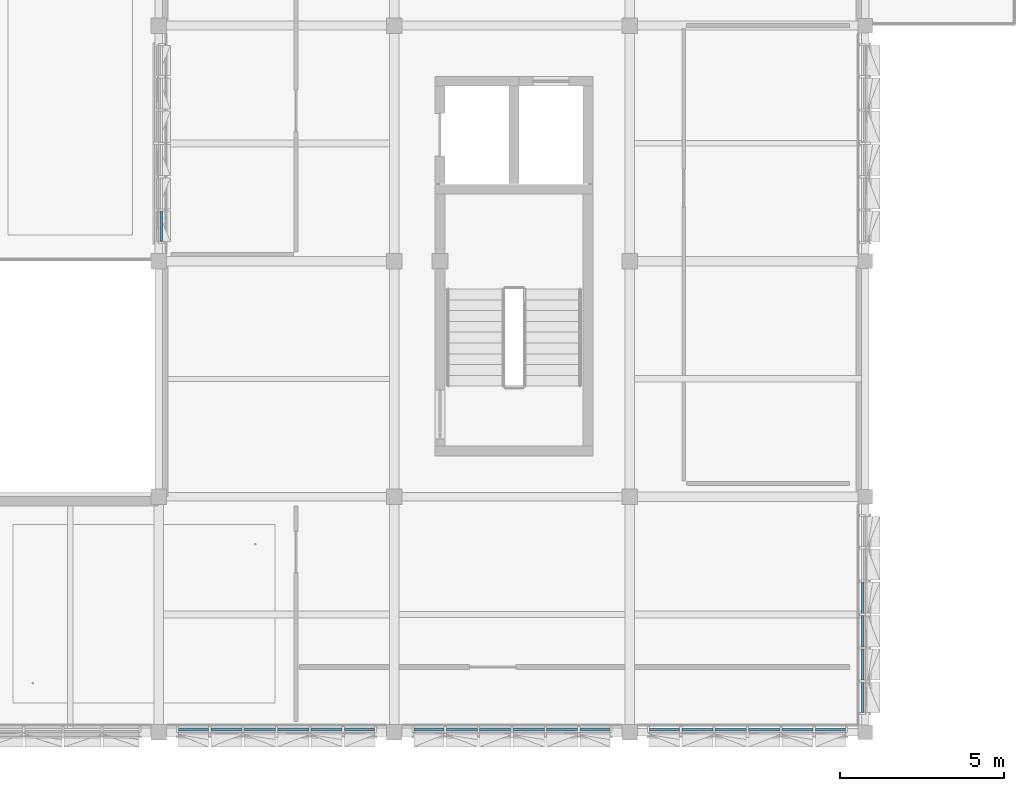
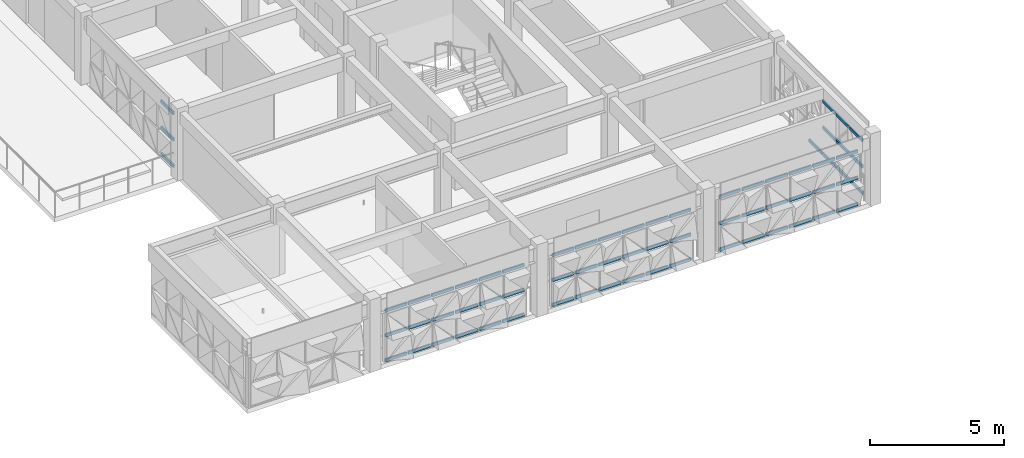
# One storey, part 7 of 35: 67 members, 5 elements without a shape of their own.
"""IFC4 building model written with IfcOpenShell, lengths in metres."""

from ifc_helpers import new_model, si_unit, direction, frame, origin, origin_2d, place, context, subcontext, project, spatial, rectangle, extrude, material, material_profile, profile_set, type_object, element, aggregate, save


model = new_model("IFC4")

# Units and contexts
model_context = context("Model", 3, precision=1e-05, world=origin(), true_north=direction((0.0, 1.0)))
body_context = subcontext(model_context, "Body", "Model", "MODEL_VIEW")
ifc_project = project(units=[si_unit("LENGTHUNIT", "METRE"), si_unit("AREAUNIT", "SQUARE_METRE"), si_unit("VOLUMEUNIT", "CUBIC_METRE"), si_unit("PLANEANGLEUNIT", "RADIAN"), si_unit("MASSUNIT", "GRAM", prefix="KILO")], contexts=[model_context])

# Site, building, storey
site_placement = place(None, origin())
site = spatial("IfcSite", under=ifc_project, at=site_placement, CompositionType="ELEMENT")
building_placement = place(site_placement, origin())
building = spatial("IfcBuilding", under=site, at=building_placement, Name="Alvorim Cloister Faculty of Sciences", CompositionType="ELEMENT")
storey_placement = place(building_placement, frame((0.0, 0.0, 22.949951171875)))
storey = spatial("IfcBuildingStorey", under=building, at=storey_placement, Name="L06", CompositionType="ELEMENT", Elevation=22.949951171875)

# Curtain wall, members
ifc_material_1 = material(Name="Aluminium and Low-E Glass Curtain Wall", Category="aluminium")
curtain_wall_type_1 = type_object("IfcCurtainWallType", Name="CW-TRI-6120x2550", PredefinedType="USERDEFINED", material=ifc_material_1)
curtain_wall_1_placement = place(storey_placement, origin())
curtain_wall_1 = element("IfcCurtainWall", 1, at=curtain_wall_1_placement, inside=storey, type_object=curtain_wall_type_1, Name="L06 Diagonal Cassette Curtain Wall CW-0241", ObjectType="UNITISED CURTAIN WALL", PredefinedType="USERDEFINED")
ifc_material_2 = material(Name="Aluminium Alloy 6063-T6", Category="aluminium")
ifc_material_profile = material_profile(ifc_material_2, rectangle(XDim=0.06494140625, YDim=0.139892578125, at=origin_2d()), Name="ALU-TRN-65x140")
ifc_profile_set = profile_set([ifc_material_profile], Name="Aluminium Alloy 6063-T6")
member_type = type_object("IfcMemberType", Name="CW-TRN-65x140", PredefinedType="USERDEFINED", material=ifc_profile_set)
member_1_placement = place(storey_placement, frame((7.2900390625, 22.205078125, 0.070068359375), z_axis=(0.0, 1.0, 0.0), x_axis=(-1.0, 0.0, 0.0)))
member_1 = element("IfcMember", 2, at=member_1_placement, type_object=member_type, Name="CW-0241 Transom 1.1", ObjectType="TRANSOM", PredefinedType="USERDEFINED", context=body_context, shape_type="SweptSolid", body=[
    extrude(rectangle(XDim=0.06494140625, YDim=0.139892578125, at=origin_2d()), origin(), (0.0, 0.0, 1.0), 0.92236328125),
])
member_2_placement = place(storey_placement, frame((7.2900390625, 22.205078125, 1.275146484375), z_axis=(0.0, 1.0, 0.0), x_axis=(-1.0, 0.0, 0.0)))
member_2 = element("IfcMember", 3, at=member_2_placement, type_object=member_type, Name="CW-0241 Transom 1.2", ObjectType="TRANSOM", PredefinedType="USERDEFINED", context=body_context, shape_type="SweptSolid", body=[
    extrude(rectangle(XDim=0.06494140625, YDim=0.139892578125, at=origin_2d()), origin(), (0.0, 0.0, 1.0), 0.92236328125),
])
member_3_placement = place(storey_placement, frame((7.2900390625, 22.205078125, 2.47998046875), z_axis=(0.0, 1.0, 0.0), x_axis=(-1.0, 0.0, 0.0)))
member_3 = element("IfcMember", 4, at=member_3_placement, type_object=member_type, Name="CW-0241 Transom 1.3", ObjectType="TRANSOM", PredefinedType="USERDEFINED", context=body_context, shape_type="SweptSolid", body=[
    extrude(rectangle(XDim=0.06494140625, YDim=0.139892578125, at=origin_2d()), origin(), (0.0, 0.0, 1.0), 0.92236328125),
])
aggregate(curtain_wall_1, [member_1, member_2, member_3])

curtain_wall_2_placement = place(storey_placement, origin())
curtain_wall_2 = element("IfcCurtainWall", 5, at=curtain_wall_2_placement, inside=storey, type_object=curtain_wall_type_1, Name="L06 Diagonal Cassette Curtain Wall CW-0257", ObjectType="UNITISED CURTAIN WALL", PredefinedType="USERDEFINED")
member_4_placement = place(storey_placement, frame((28.7099609375, 7.804931640625, 0.070068359375), z_axis=(0.0, 1.0, 0.0), x_axis=(-1.0, 0.0, 0.0)))
member_4 = element("IfcMember", 6, at=member_4_placement, type_object=member_type, Name="CW-0257 Transom 1.1", ObjectType="TRANSOM", PredefinedType="USERDEFINED", context=body_context, shape_type="SweptSolid", body=[
    extrude(rectangle(XDim=0.06494140625, YDim=0.139892578125, at=origin_2d()), origin(), (0.0, 0.0, 1.0), 0.922607421875),
])
member_5_placement = place(storey_placement, frame((28.7099609375, 7.804931640625, 1.275146484375), z_axis=(0.0, 1.0, 0.0), x_axis=(-1.0, 0.0, 0.0)))
member_5 = element("IfcMember", 7, at=member_5_placement, type_object=member_type, Name="CW-0257 Transom 1.2", ObjectType="TRANSOM", PredefinedType="USERDEFINED", context=body_context, shape_type="SweptSolid", body=[
    extrude(rectangle(XDim=0.06494140625, YDim=0.139892578125, at=origin_2d()), origin(), (0.0, 0.0, 1.0), 0.922607421875),
])
member_6_placement = place(storey_placement, frame((28.7099609375, 7.804931640625, 2.47998046875), z_axis=(0.0, 1.0, 0.0), x_axis=(-1.0, 0.0, 0.0)))
member_6 = element("IfcMember", 8, at=member_6_placement, type_object=member_type, Name="CW-0257 Transom 1.3", ObjectType="TRANSOM", PredefinedType="USERDEFINED", context=body_context, shape_type="SweptSolid", body=[
    extrude(rectangle(XDim=0.06494140625, YDim=0.139892578125, at=origin_2d()), origin(), (0.0, 0.0, 1.0), 0.922607421875),
])
member_7_placement = place(storey_placement, frame((28.7099609375, 8.79248046875, 0.070068359375), z_axis=(0.0, 1.0, 0.0), x_axis=(-1.0, 0.0, 0.0)))
member_7 = element("IfcMember", 9, at=member_7_placement, type_object=member_type, Name="CW-0257 Transom 2.1", ObjectType="TRANSOM", PredefinedType="USERDEFINED", context=body_context, shape_type="SweptSolid", body=[
    extrude(rectangle(XDim=0.06494140625, YDim=0.139892578125, at=origin_2d()), origin(), (0.0, 0.0, 1.0), 0.955078125),
])
member_8_placement = place(storey_placement, frame((28.7099609375, 8.79248046875, 1.275146484375), z_axis=(0.0, 1.0, 0.0), x_axis=(-1.0, 0.0, 0.0)))
member_8 = element("IfcMember", 10, at=member_8_placement, type_object=member_type, Name="CW-0257 Transom 2.2", ObjectType="TRANSOM", PredefinedType="USERDEFINED", context=body_context, shape_type="SweptSolid", body=[
    extrude(rectangle(XDim=0.06494140625, YDim=0.139892578125, at=origin_2d()), origin(), (0.0, 0.0, 1.0), 0.955078125),
])
member_9_placement = place(storey_placement, frame((28.7099609375, 8.79248046875, 2.47998046875), z_axis=(0.0, 1.0, 0.0), x_axis=(-1.0, 0.0, 0.0)))
member_9 = element("IfcMember", 11, at=member_9_placement, type_object=member_type, Name="CW-0257 Transom 2.3", ObjectType="TRANSOM", PredefinedType="USERDEFINED", context=body_context, shape_type="SweptSolid", body=[
    extrude(rectangle(XDim=0.06494140625, YDim=0.139892578125, at=origin_2d()), origin(), (0.0, 0.0, 1.0), 0.955078125),
])
member_10_placement = place(storey_placement, frame((28.7099609375, 9.8125, 0.070068359375), z_axis=(0.0, 1.0, 0.0), x_axis=(-1.0, 0.0, 0.0)))
member_10 = element("IfcMember", 12, at=member_10_placement, type_object=member_type, Name="CW-0257 Transom 3.1", ObjectType="TRANSOM", PredefinedType="USERDEFINED", context=body_context, shape_type="SweptSolid", body=[
    extrude(rectangle(XDim=0.06494140625, YDim=0.139892578125, at=origin_2d()), origin(), (0.0, 0.0, 1.0), 0.955078125),
])
member_11_placement = place(storey_placement, frame((28.7099609375, 9.8125, 1.275146484375), z_axis=(0.0, 1.0, 0.0), x_axis=(-1.0, 0.0, 0.0)))
member_11 = element("IfcMember", 13, at=member_11_placement, type_object=member_type, Name="CW-0257 Transom 3.2", ObjectType="TRANSOM", PredefinedType="USERDEFINED", context=body_context, shape_type="SweptSolid", body=[
    extrude(rectangle(XDim=0.06494140625, YDim=0.139892578125, at=origin_2d()), origin(), (0.0, 0.0, 1.0), 0.955078125),
])
member_12_placement = place(storey_placement, frame((28.7099609375, 9.8125, 2.47998046875), z_axis=(0.0, 1.0, 0.0), x_axis=(-1.0, 0.0, 0.0)))
member_12 = element("IfcMember", 14, at=member_12_placement, type_object=member_type, Name="CW-0257 Transom 3.3", ObjectType="TRANSOM", PredefinedType="USERDEFINED", context=body_context, shape_type="SweptSolid", body=[
    extrude(rectangle(XDim=0.06494140625, YDim=0.139892578125, at=origin_2d()), origin(), (0.0, 0.0, 1.0), 0.955078125),
])
member_13_placement = place(storey_placement, frame((28.7099609375, 10.83251953125, 0.070068359375), z_axis=(0.0, 1.0, 0.0), x_axis=(-1.0, 0.0, 0.0)))
member_13 = element("IfcMember", 15, at=member_13_placement, type_object=member_type, Name="CW-0257 Transom 4.1", ObjectType="TRANSOM", PredefinedType="USERDEFINED", context=body_context, shape_type="SweptSolid", body=[
    extrude(rectangle(XDim=0.06494140625, YDim=0.139892578125, at=origin_2d()), origin(), (0.0, 0.0, 1.0), 0.955078125),
])
aggregate(curtain_wall_2, [member_4, member_5, member_6, member_7, member_8, member_9, member_10, member_11, member_12, member_13])

curtain_wall_3_placement = place(storey_placement, origin())
curtain_wall_3 = element("IfcCurtainWall", 16, at=curtain_wall_3_placement, inside=storey, type_object=curtain_wall_type_1, Name="L06 Diagonal Cassette Curtain Wall CW-0258", ObjectType="UNITISED CURTAIN WALL", PredefinedType="USERDEFINED")
member_14_placement = place(storey_placement, frame((22.205078125, 7.2900390625, 0.070068359375), z_axis=(1.0, 0.0, 0.0), x_axis=(0.0, 1.0, 0.0)))
member_14 = element("IfcMember", 17, at=member_14_placement, type_object=member_type, Name="CW-0258 Transom 1.1", ObjectType="TRANSOM", PredefinedType="USERDEFINED", context=body_context, shape_type="SweptSolid", body=[
    extrude(rectangle(XDim=0.06494140625, YDim=0.139892578125, at=origin_2d()), origin(), (0.0, 0.0, 1.0), 0.92236328125),
])
member_15_placement = place(storey_placement, frame((22.205078125, 7.2900390625, 1.275146484375), z_axis=(1.0, 0.0, 0.0), x_axis=(0.0, 1.0, 0.0)))
member_15 = element("IfcMember", 18, at=member_15_placement, type_object=member_type, Name="CW-0258 Transom 1.2", ObjectType="TRANSOM", PredefinedType="USERDEFINED", context=body_context, shape_type="SweptSolid", body=[
    extrude(rectangle(XDim=0.06494140625, YDim=0.139892578125, at=origin_2d()), origin(), (0.0, 0.0, 1.0), 0.92236328125),
])
member_16_placement = place(storey_placement, frame((22.205078125, 7.2900390625, 2.47998046875), z_axis=(1.0, 0.0, 0.0), x_axis=(0.0, 1.0, 0.0)))
member_16 = element("IfcMember", 19, at=member_16_placement, type_object=member_type, Name="CW-0258 Transom 1.3", ObjectType="TRANSOM", PredefinedType="USERDEFINED", context=body_context, shape_type="SweptSolid", body=[
    extrude(rectangle(XDim=0.06494140625, YDim=0.139892578125, at=origin_2d()), origin(), (0.0, 0.0, 1.0), 0.92236328125),
])
member_17_placement = place(storey_placement, frame((23.1923828125, 7.2900390625, 0.070068359375), z_axis=(1.0, 0.0, 0.0), x_axis=(0.0, 1.0, 0.0)))
member_17 = element("IfcMember", 20, at=member_17_placement, type_object=member_type, Name="CW-0258 Transom 2.1", ObjectType="TRANSOM", PredefinedType="USERDEFINED", context=body_context, shape_type="SweptSolid", body=[
    extrude(rectangle(XDim=0.06494140625, YDim=0.139892578125, at=origin_2d()), origin(), (0.0, 0.0, 1.0), 0.955078125),
])
member_18_placement = place(storey_placement, frame((23.1923828125, 7.2900390625, 1.275146484375), z_axis=(1.0, 0.0, 0.0), x_axis=(0.0, 1.0, 0.0)))
member_18 = element("IfcMember", 21, at=member_18_placement, type_object=member_type, Name="CW-0258 Transom 2.2", ObjectType="TRANSOM", PredefinedType="USERDEFINED", context=body_context, shape_type="SweptSolid", body=[
    extrude(rectangle(XDim=0.06494140625, YDim=0.139892578125, at=origin_2d()), origin(), (0.0, 0.0, 1.0), 0.955078125),
])
member_19_placement = place(storey_placement, frame((23.1923828125, 7.2900390625, 2.47998046875), z_axis=(1.0, 0.0, 0.0), x_axis=(0.0, 1.0, 0.0)))
member_19 = element("IfcMember", 22, at=member_19_placement, type_object=member_type, Name="CW-0258 Transom 2.3", ObjectType="TRANSOM", PredefinedType="USERDEFINED", context=body_context, shape_type="SweptSolid", body=[
    extrude(rectangle(XDim=0.06494140625, YDim=0.139892578125, at=origin_2d()), origin(), (0.0, 0.0, 1.0), 0.955078125),
])
member_20_placement = place(storey_placement, frame((24.21240234375, 7.2900390625, 0.070068359375), z_axis=(1.0, 0.0, 0.0), x_axis=(0.0, 1.0, 0.0)))
member_20 = element("IfcMember", 23, at=member_20_placement, type_object=member_type, Name="CW-0258 Transom 3.1", ObjectType="TRANSOM", PredefinedType="USERDEFINED", context=body_context, shape_type="SweptSolid", body=[
    extrude(rectangle(XDim=0.06494140625, YDim=0.139892578125, at=origin_2d()), origin(), (0.0, 0.0, 1.0), 0.955078125),
])
member_21_placement = place(storey_placement, frame((24.21240234375, 7.2900390625, 1.275146484375), z_axis=(1.0, 0.0, 0.0), x_axis=(0.0, 1.0, 0.0)))
member_21 = element("IfcMember", 24, at=member_21_placement, type_object=member_type, Name="CW-0258 Transom 3.2", ObjectType="TRANSOM", PredefinedType="USERDEFINED", context=body_context, shape_type="SweptSolid", body=[
    extrude(rectangle(XDim=0.06494140625, YDim=0.139892578125, at=origin_2d()), origin(), (0.0, 0.0, 1.0), 0.955078125),
])
member_22_placement = place(storey_placement, frame((24.21240234375, 7.2900390625, 2.47998046875), z_axis=(1.0, 0.0, 0.0), x_axis=(0.0, 1.0, 0.0)))
member_22 = element("IfcMember", 25, at=member_22_placement, type_object=member_type, Name="CW-0258 Transom 3.3", ObjectType="TRANSOM", PredefinedType="USERDEFINED", context=body_context, shape_type="SweptSolid", body=[
    extrude(rectangle(XDim=0.06494140625, YDim=0.139892578125, at=origin_2d()), origin(), (0.0, 0.0, 1.0), 0.955078125),
])
member_23_placement = place(storey_placement, frame((25.232421875, 7.2900390625, 0.070068359375), z_axis=(1.0, 0.0, 0.0), x_axis=(0.0, 1.0, 0.0)))
member_23 = element("IfcMember", 26, at=member_23_placement, type_object=member_type, Name="CW-0258 Transom 4.1", ObjectType="TRANSOM", PredefinedType="USERDEFINED", context=body_context, shape_type="SweptSolid", body=[
    extrude(rectangle(XDim=0.06494140625, YDim=0.139892578125, at=origin_2d()), origin(), (0.0, 0.0, 1.0), 0.955078125),
])
member_24_placement = place(storey_placement, frame((25.232421875, 7.2900390625, 1.275146484375), z_axis=(1.0, 0.0, 0.0), x_axis=(0.0, 1.0, 0.0)))
member_24 = element("IfcMember", 27, at=member_24_placement, type_object=member_type, Name="CW-0258 Transom 4.2", ObjectType="TRANSOM", PredefinedType="USERDEFINED", context=body_context, shape_type="SweptSolid", body=[
    extrude(rectangle(XDim=0.06494140625, YDim=0.139892578125, at=origin_2d()), origin(), (0.0, 0.0, 1.0), 0.955078125),
])
member_25_placement = place(storey_placement, frame((25.232421875, 7.2900390625, 2.47998046875), z_axis=(1.0, 0.0, 0.0), x_axis=(0.0, 1.0, 0.0)))
member_25 = element("IfcMember", 28, at=member_25_placement, type_object=member_type, Name="CW-0258 Transom 4.3", ObjectType="TRANSOM", PredefinedType="USERDEFINED", context=body_context, shape_type="SweptSolid", body=[
    extrude(rectangle(XDim=0.06494140625, YDim=0.139892578125, at=origin_2d()), origin(), (0.0, 0.0, 1.0), 0.955078125),
])
member_26_placement = place(storey_placement, frame((26.25244140625, 7.2900390625, 0.070068359375), z_axis=(1.0, 0.0, 0.0), x_axis=(0.0, 1.0, 0.0)))
member_26 = element("IfcMember", 29, at=member_26_placement, type_object=member_type, Name="CW-0258 Transom 5.1", ObjectType="TRANSOM", PredefinedType="USERDEFINED", context=body_context, shape_type="SweptSolid", body=[
    extrude(rectangle(XDim=0.06494140625, YDim=0.139892578125, at=origin_2d()), origin(), (0.0, 0.0, 1.0), 0.955078125),
])
member_27_placement = place(storey_placement, frame((26.25244140625, 7.2900390625, 1.275146484375), z_axis=(1.0, 0.0, 0.0), x_axis=(0.0, 1.0, 0.0)))
member_27 = element("IfcMember", 30, at=member_27_placement, type_object=member_type, Name="CW-0258 Transom 5.2", ObjectType="TRANSOM", PredefinedType="USERDEFINED", context=body_context, shape_type="SweptSolid", body=[
    extrude(rectangle(XDim=0.06494140625, YDim=0.139892578125, at=origin_2d()), origin(), (0.0, 0.0, 1.0), 0.955078125),
])
member_28_placement = place(storey_placement, frame((26.25244140625, 7.2900390625, 2.47998046875), z_axis=(1.0, 0.0, 0.0), x_axis=(0.0, 1.0, 0.0)))
member_28 = element("IfcMember", 31, at=member_28_placement, type_object=member_type, Name="CW-0258 Transom 5.3", ObjectType="TRANSOM", PredefinedType="USERDEFINED", context=body_context, shape_type="SweptSolid", body=[
    extrude(rectangle(XDim=0.06494140625, YDim=0.139892578125, at=origin_2d()), origin(), (0.0, 0.0, 1.0), 0.955078125),
])
member_29_placement = place(storey_placement, frame((27.2724609375, 7.2900390625, 0.070068359375), z_axis=(1.0, 0.0, 0.0), x_axis=(0.0, 1.0, 0.0)))
member_29 = element("IfcMember", 32, at=member_29_placement, type_object=member_type, Name="CW-0258 Transom 6.1", ObjectType="TRANSOM", PredefinedType="USERDEFINED", context=body_context, shape_type="SweptSolid", body=[
    extrude(rectangle(XDim=0.06494140625, YDim=0.139892578125, at=origin_2d()), origin(), (0.0, 0.0, 1.0), 0.922607421875),
])
member_30_placement = place(storey_placement, frame((27.2724609375, 7.2900390625, 1.275146484375), z_axis=(1.0, 0.0, 0.0), x_axis=(0.0, 1.0, 0.0)))
member_30 = element("IfcMember", 33, at=member_30_placement, type_object=member_type, Name="CW-0258 Transom 6.2", ObjectType="TRANSOM", PredefinedType="USERDEFINED", context=body_context, shape_type="SweptSolid", body=[
    extrude(rectangle(XDim=0.06494140625, YDim=0.139892578125, at=origin_2d()), origin(), (0.0, 0.0, 1.0), 0.922607421875),
])
member_31_placement = place(storey_placement, frame((27.2724609375, 7.2900390625, 2.47998046875), z_axis=(1.0, 0.0, 0.0), x_axis=(0.0, 1.0, 0.0)))
member_31 = element("IfcMember", 34, at=member_31_placement, type_object=member_type, Name="CW-0258 Transom 6.3", ObjectType="TRANSOM", PredefinedType="USERDEFINED", context=body_context, shape_type="SweptSolid", body=[
    extrude(rectangle(XDim=0.06494140625, YDim=0.139892578125, at=origin_2d()), origin(), (0.0, 0.0, 1.0), 0.922607421875),
])
aggregate(curtain_wall_3, [member_14, member_15, member_16, member_17, member_18, member_19, member_20, member_21, member_22, member_23, member_24, member_25, member_26, member_27, member_28, member_29, member_30, member_31])

curtain_wall_type_2 = type_object("IfcCurtainWallType", Name="CW-TRI-6120x2406", PredefinedType="USERDEFINED", material=ifc_material_1)
curtain_wall_4_placement = place(storey_placement, origin())
curtain_wall_4 = element("IfcCurtainWall", 35, at=curtain_wall_4_placement, inside=storey, type_object=curtain_wall_type_2, Name="L06 Diagonal Cassette Curtain Wall CW-0259", ObjectType="UNITISED CURTAIN WALL", PredefinedType="USERDEFINED")
member_32_placement = place(storey_placement, frame((15.0048828125, 7.2900390625, 0.070068359375), z_axis=(1.0, 0.0, 0.0), x_axis=(0.0, 1.0, 0.0)))
member_32 = element("IfcMember", 36, at=member_32_placement, type_object=member_type, Name="CW-0259 Transom 1.1", ObjectType="TRANSOM", PredefinedType="USERDEFINED", context=body_context, shape_type="SweptSolid", body=[
    extrude(rectangle(XDim=0.06494140625, YDim=0.139892578125, at=origin_2d()), origin(), (0.0, 0.0, 1.0), 0.922607421875),
])
member_33_placement = place(storey_placement, frame((15.0048828125, 7.2900390625, 1.203125), z_axis=(1.0, 0.0, 0.0), x_axis=(0.0, 1.0, 0.0)))
member_33 = element("IfcMember", 37, at=member_33_placement, type_object=member_type, Name="CW-0259 Transom 1.2", ObjectType="TRANSOM", PredefinedType="USERDEFINED", context=body_context, shape_type="SweptSolid", body=[
    extrude(rectangle(XDim=0.06494140625, YDim=0.139892578125, at=origin_2d()), origin(), (0.0, 0.0, 1.0), 0.922607421875),
])
member_34_placement = place(storey_placement, frame((15.0048828125, 7.2900390625, 2.3359375), z_axis=(1.0, 0.0, 0.0), x_axis=(0.0, 1.0, 0.0)))
member_34 = element("IfcMember", 38, at=member_34_placement, type_object=member_type, Name="CW-0259 Transom 1.3", ObjectType="TRANSOM", PredefinedType="USERDEFINED", context=body_context, shape_type="SweptSolid", body=[
    extrude(rectangle(XDim=0.06494140625, YDim=0.139892578125, at=origin_2d()), origin(), (0.0, 0.0, 1.0), 0.922607421875),
])
member_35_placement = place(storey_placement, frame((15.992431640625, 7.2900390625, 0.070068359375), z_axis=(1.0, 0.0, 0.0), x_axis=(0.0, 1.0, 0.0)))
member_35 = element("IfcMember", 39, at=member_35_placement, type_object=member_type, Name="CW-0259 Transom 2.1", ObjectType="TRANSOM", PredefinedType="USERDEFINED", context=body_context, shape_type="SweptSolid", body=[
    extrude(rectangle(XDim=0.06494140625, YDim=0.139892578125, at=origin_2d()), origin(), (0.0, 0.0, 1.0), 0.955078125),
])
member_36_placement = place(storey_placement, frame((15.992431640625, 7.2900390625, 1.203125), z_axis=(1.0, 0.0, 0.0), x_axis=(0.0, 1.0, 0.0)))
member_36 = element("IfcMember", 40, at=member_36_placement, type_object=member_type, Name="CW-0259 Transom 2.2", ObjectType="TRANSOM", PredefinedType="USERDEFINED", context=body_context, shape_type="SweptSolid", body=[
    extrude(rectangle(XDim=0.06494140625, YDim=0.139892578125, at=origin_2d()), origin(), (0.0, 0.0, 1.0), 0.955078125),
])
member_37_placement = place(storey_placement, frame((15.992431640625, 7.2900390625, 2.3359375), z_axis=(1.0, 0.0, 0.0), x_axis=(0.0, 1.0, 0.0)))
member_37 = element("IfcMember", 41, at=member_37_placement, type_object=member_type, Name="CW-0259 Transom 2.3", ObjectType="TRANSOM", PredefinedType="USERDEFINED", context=body_context, shape_type="SweptSolid", body=[
    extrude(rectangle(XDim=0.06494140625, YDim=0.139892578125, at=origin_2d()), origin(), (0.0, 0.0, 1.0), 0.955078125),
])
member_38_placement = place(storey_placement, frame((17.012451171875, 7.2900390625, 0.070068359375), z_axis=(1.0, 0.0, 0.0), x_axis=(0.0, 1.0, 0.0)))
member_38 = element("IfcMember", 42, at=member_38_placement, type_object=member_type, Name="CW-0259 Transom 3.1", ObjectType="TRANSOM", PredefinedType="USERDEFINED", context=body_context, shape_type="SweptSolid", body=[
    extrude(rectangle(XDim=0.06494140625, YDim=0.139892578125, at=origin_2d()), origin(), (0.0, 0.0, 1.0), 0.955078125),
])
member_39_placement = place(storey_placement, frame((17.012451171875, 7.2900390625, 1.203125), z_axis=(1.0, 0.0, 0.0), x_axis=(0.0, 1.0, 0.0)))
member_39 = element("IfcMember", 43, at=member_39_placement, type_object=member_type, Name="CW-0259 Transom 3.2", ObjectType="TRANSOM", PredefinedType="USERDEFINED", context=body_context, shape_type="SweptSolid", body=[
    extrude(rectangle(XDim=0.06494140625, YDim=0.139892578125, at=origin_2d()), origin(), (0.0, 0.0, 1.0), 0.955078125),
])
member_40_placement = place(storey_placement, frame((17.012451171875, 7.2900390625, 2.3359375), z_axis=(1.0, 0.0, 0.0), x_axis=(0.0, 1.0, 0.0)))
member_40 = element("IfcMember", 44, at=member_40_placement, type_object=member_type, Name="CW-0259 Transom 3.3", ObjectType="TRANSOM", PredefinedType="USERDEFINED", context=body_context, shape_type="SweptSolid", body=[
    extrude(rectangle(XDim=0.06494140625, YDim=0.139892578125, at=origin_2d()), origin(), (0.0, 0.0, 1.0), 0.955078125),
])
member_41_placement = place(storey_placement, frame((18.032470703125, 7.2900390625, 0.070068359375), z_axis=(1.0, 0.0, 0.0), x_axis=(0.0, 1.0, 0.0)))
member_41 = element("IfcMember", 45, at=member_41_placement, type_object=member_type, Name="CW-0259 Transom 4.1", ObjectType="TRANSOM", PredefinedType="USERDEFINED", context=body_context, shape_type="SweptSolid", body=[
    extrude(rectangle(XDim=0.06494140625, YDim=0.139892578125, at=origin_2d()), origin(), (0.0, 0.0, 1.0), 0.955078125),
])
member_42_placement = place(storey_placement, frame((18.032470703125, 7.2900390625, 1.203125), z_axis=(1.0, 0.0, 0.0), x_axis=(0.0, 1.0, 0.0)))
member_42 = element("IfcMember", 46, at=member_42_placement, type_object=member_type, Name="CW-0259 Transom 4.2", ObjectType="TRANSOM", PredefinedType="USERDEFINED", context=body_context, shape_type="SweptSolid", body=[
    extrude(rectangle(XDim=0.06494140625, YDim=0.139892578125, at=origin_2d()), origin(), (0.0, 0.0, 1.0), 0.955078125),
])
member_43_placement = place(storey_placement, frame((18.032470703125, 7.2900390625, 2.3359375), z_axis=(1.0, 0.0, 0.0), x_axis=(0.0, 1.0, 0.0)))
member_43 = element("IfcMember", 47, at=member_43_placement, type_object=member_type, Name="CW-0259 Transom 4.3", ObjectType="TRANSOM", PredefinedType="USERDEFINED", context=body_context, shape_type="SweptSolid", body=[
    extrude(rectangle(XDim=0.06494140625, YDim=0.139892578125, at=origin_2d()), origin(), (0.0, 0.0, 1.0), 0.955078125),
])
member_44_placement = place(storey_placement, frame((19.052490234375, 7.2900390625, 0.070068359375), z_axis=(1.0, 0.0, 0.0), x_axis=(0.0, 1.0, 0.0)))
member_44 = element("IfcMember", 48, at=member_44_placement, type_object=member_type, Name="CW-0259 Transom 5.1", ObjectType="TRANSOM", PredefinedType="USERDEFINED", context=body_context, shape_type="SweptSolid", body=[
    extrude(rectangle(XDim=0.06494140625, YDim=0.139892578125, at=origin_2d()), origin(), (0.0, 0.0, 1.0), 0.955078125),
])
member_45_placement = place(storey_placement, frame((19.052490234375, 7.2900390625, 1.203125), z_axis=(1.0, 0.0, 0.0), x_axis=(0.0, 1.0, 0.0)))
member_45 = element("IfcMember", 49, at=member_45_placement, type_object=member_type, Name="CW-0259 Transom 5.2", ObjectType="TRANSOM", PredefinedType="USERDEFINED", context=body_context, shape_type="SweptSolid", body=[
    extrude(rectangle(XDim=0.06494140625, YDim=0.139892578125, at=origin_2d()), origin(), (0.0, 0.0, 1.0), 0.955078125),
])
member_46_placement = place(storey_placement, frame((19.052490234375, 7.2900390625, 2.3359375), z_axis=(1.0, 0.0, 0.0), x_axis=(0.0, 1.0, 0.0)))
member_46 = element("IfcMember", 50, at=member_46_placement, type_object=member_type, Name="CW-0259 Transom 5.3", ObjectType="TRANSOM", PredefinedType="USERDEFINED", context=body_context, shape_type="SweptSolid", body=[
    extrude(rectangle(XDim=0.06494140625, YDim=0.139892578125, at=origin_2d()), origin(), (0.0, 0.0, 1.0), 0.955078125),
])
member_47_placement = place(storey_placement, frame((20.072509765625, 7.2900390625, 0.070068359375), z_axis=(1.0, 0.0, 0.0), x_axis=(0.0, 1.0, 0.0)))
member_47 = element("IfcMember", 51, at=member_47_placement, type_object=member_type, Name="CW-0259 Transom 6.1", ObjectType="TRANSOM", PredefinedType="USERDEFINED", context=body_context, shape_type="SweptSolid", body=[
    extrude(rectangle(XDim=0.06494140625, YDim=0.139892578125, at=origin_2d()), origin(), (0.0, 0.0, 1.0), 0.922607421875),
])
member_48_placement = place(storey_placement, frame((20.072509765625, 7.2900390625, 1.203125), z_axis=(1.0, 0.0, 0.0), x_axis=(0.0, 1.0, 0.0)))
member_48 = element("IfcMember", 52, at=member_48_placement, type_object=member_type, Name="CW-0259 Transom 6.2", ObjectType="TRANSOM", PredefinedType="USERDEFINED", context=body_context, shape_type="SweptSolid", body=[
    extrude(rectangle(XDim=0.06494140625, YDim=0.139892578125, at=origin_2d()), origin(), (0.0, 0.0, 1.0), 0.922607421875),
])
member_49_placement = place(storey_placement, frame((20.072509765625, 7.2900390625, 2.3359375), z_axis=(1.0, 0.0, 0.0), x_axis=(0.0, 1.0, 0.0)))
member_49 = element("IfcMember", 53, at=member_49_placement, type_object=member_type, Name="CW-0259 Transom 6.3", ObjectType="TRANSOM", PredefinedType="USERDEFINED", context=body_context, shape_type="SweptSolid", body=[
    extrude(rectangle(XDim=0.06494140625, YDim=0.139892578125, at=origin_2d()), origin(), (0.0, 0.0, 1.0), 0.922607421875),
])
aggregate(curtain_wall_4, [member_32, member_33, member_34, member_35, member_36, member_37, member_38, member_39, member_40, member_41, member_42, member_43, member_44, member_45, member_46, member_47, member_48, member_49])

curtain_wall_5_placement = place(storey_placement, origin())
curtain_wall_5 = element("IfcCurtainWall", 54, at=curtain_wall_5_placement, inside=storey, type_object=curtain_wall_type_2, Name="L06 Diagonal Cassette Curtain Wall CW-0260", ObjectType="UNITISED CURTAIN WALL", PredefinedType="USERDEFINED")
member_50_placement = place(storey_placement, frame((7.804931640625, 7.2900390625, 0.070068359375), z_axis=(1.0, 0.0, 0.0), x_axis=(0.0, 1.0, 0.0)))
member_50 = element("IfcMember", 55, at=member_50_placement, type_object=member_type, Name="CW-0260 Transom 1.1", ObjectType="TRANSOM", PredefinedType="USERDEFINED", context=body_context, shape_type="SweptSolid", body=[
    extrude(rectangle(XDim=0.06494140625, YDim=0.139892578125, at=origin_2d()), origin(), (0.0, 0.0, 1.0), 0.922607421875),
])
member_51_placement = place(storey_placement, frame((7.804931640625, 7.2900390625, 1.203125), z_axis=(1.0, 0.0, 0.0), x_axis=(0.0, 1.0, 0.0)))
member_51 = element("IfcMember", 56, at=member_51_placement, type_object=member_type, Name="CW-0260 Transom 1.2", ObjectType="TRANSOM", PredefinedType="USERDEFINED", context=body_context, shape_type="SweptSolid", body=[
    extrude(rectangle(XDim=0.06494140625, YDim=0.139892578125, at=origin_2d()), origin(), (0.0, 0.0, 1.0), 0.922607421875),
])
member_52_placement = place(storey_placement, frame((7.804931640625, 7.2900390625, 2.3359375), z_axis=(1.0, 0.0, 0.0), x_axis=(0.0, 1.0, 0.0)))
member_52 = element("IfcMember", 57, at=member_52_placement, type_object=member_type, Name="CW-0260 Transom 1.3", ObjectType="TRANSOM", PredefinedType="USERDEFINED", context=body_context, shape_type="SweptSolid", body=[
    extrude(rectangle(XDim=0.06494140625, YDim=0.139892578125, at=origin_2d()), origin(), (0.0, 0.0, 1.0), 0.922607421875),
])
member_53_placement = place(storey_placement, frame((8.79248046875, 7.2900390625, 0.070068359375), z_axis=(1.0, 0.0, 0.0), x_axis=(0.0, 1.0, 0.0)))
member_53 = element("IfcMember", 58, at=member_53_placement, type_object=member_type, Name="CW-0260 Transom 2.1", ObjectType="TRANSOM", PredefinedType="USERDEFINED", context=body_context, shape_type="SweptSolid", body=[
    extrude(rectangle(XDim=0.06494140625, YDim=0.139892578125, at=origin_2d()), origin(), (0.0, 0.0, 1.0), 0.955078125),
])
member_54_placement = place(storey_placement, frame((8.79248046875, 7.2900390625, 1.203125), z_axis=(1.0, 0.0, 0.0), x_axis=(0.0, 1.0, 0.0)))
member_54 = element("IfcMember", 59, at=member_54_placement, type_object=member_type, Name="CW-0260 Transom 2.2", ObjectType="TRANSOM", PredefinedType="USERDEFINED", context=body_context, shape_type="SweptSolid", body=[
    extrude(rectangle(XDim=0.06494140625, YDim=0.139892578125, at=origin_2d()), origin(), (0.0, 0.0, 1.0), 0.955078125),
])
member_55_placement = place(storey_placement, frame((8.79248046875, 7.2900390625, 2.3359375), z_axis=(1.0, 0.0, 0.0), x_axis=(0.0, 1.0, 0.0)))
member_55 = element("IfcMember", 60, at=member_55_placement, type_object=member_type, Name="CW-0260 Transom 2.3", ObjectType="TRANSOM", PredefinedType="USERDEFINED", context=body_context, shape_type="SweptSolid", body=[
    extrude(rectangle(XDim=0.06494140625, YDim=0.139892578125, at=origin_2d()), origin(), (0.0, 0.0, 1.0), 0.955078125),
])
member_56_placement = place(storey_placement, frame((9.8125, 7.2900390625, 0.070068359375), z_axis=(1.0, 0.0, 0.0), x_axis=(0.0, 1.0, 0.0)))
member_56 = element("IfcMember", 61, at=member_56_placement, type_object=member_type, Name="CW-0260 Transom 3.1", ObjectType="TRANSOM", PredefinedType="USERDEFINED", context=body_context, shape_type="SweptSolid", body=[
    extrude(rectangle(XDim=0.06494140625, YDim=0.139892578125, at=origin_2d()), origin(), (0.0, 0.0, 1.0), 0.955078125),
])
member_57_placement = place(storey_placement, frame((9.8125, 7.2900390625, 1.203125), z_axis=(1.0, 0.0, 0.0), x_axis=(0.0, 1.0, 0.0)))
member_57 = element("IfcMember", 62, at=member_57_placement, type_object=member_type, Name="CW-0260 Transom 3.2", ObjectType="TRANSOM", PredefinedType="USERDEFINED", context=body_context, shape_type="SweptSolid", body=[
    extrude(rectangle(XDim=0.06494140625, YDim=0.139892578125, at=origin_2d()), origin(), (0.0, 0.0, 1.0), 0.955078125),
])
member_58_placement = place(storey_placement, frame((9.8125, 7.2900390625, 2.3359375), z_axis=(1.0, 0.0, 0.0), x_axis=(0.0, 1.0, 0.0)))
member_58 = element("IfcMember", 63, at=member_58_placement, type_object=member_type, Name="CW-0260 Transom 3.3", ObjectType="TRANSOM", PredefinedType="USERDEFINED", context=body_context, shape_type="SweptSolid", body=[
    extrude(rectangle(XDim=0.06494140625, YDim=0.139892578125, at=origin_2d()), origin(), (0.0, 0.0, 1.0), 0.955078125),
])
member_59_placement = place(storey_placement, frame((10.83251953125, 7.2900390625, 0.070068359375), z_axis=(1.0, 0.0, 0.0), x_axis=(0.0, 1.0, 0.0)))
member_59 = element("IfcMember", 64, at=member_59_placement, type_object=member_type, Name="CW-0260 Transom 4.1", ObjectType="TRANSOM", PredefinedType="USERDEFINED", context=body_context, shape_type="SweptSolid", body=[
    extrude(rectangle(XDim=0.06494140625, YDim=0.139892578125, at=origin_2d()), origin(), (0.0, 0.0, 1.0), 0.955078125),
])
member_60_placement = place(storey_placement, frame((10.83251953125, 7.2900390625, 1.203125), z_axis=(1.0, 0.0, 0.0), x_axis=(0.0, 1.0, 0.0)))
member_60 = element("IfcMember", 65, at=member_60_placement, type_object=member_type, Name="CW-0260 Transom 4.2", ObjectType="TRANSOM", PredefinedType="USERDEFINED", context=body_context, shape_type="SweptSolid", body=[
    extrude(rectangle(XDim=0.06494140625, YDim=0.139892578125, at=origin_2d()), origin(), (0.0, 0.0, 1.0), 0.955078125),
])
member_61_placement = place(storey_placement, frame((10.83251953125, 7.2900390625, 2.3359375), z_axis=(1.0, 0.0, 0.0), x_axis=(0.0, 1.0, 0.0)))
member_61 = element("IfcMember", 66, at=member_61_placement, type_object=member_type, Name="CW-0260 Transom 4.3", ObjectType="TRANSOM", PredefinedType="USERDEFINED", context=body_context, shape_type="SweptSolid", body=[
    extrude(rectangle(XDim=0.06494140625, YDim=0.139892578125, at=origin_2d()), origin(), (0.0, 0.0, 1.0), 0.955078125),
])
member_62_placement = place(storey_placement, frame((11.8525390625, 7.2900390625, 0.070068359375), z_axis=(1.0, 0.0, 0.0), x_axis=(0.0, 1.0, 0.0)))
member_62 = element("IfcMember", 67, at=member_62_placement, type_object=member_type, Name="CW-0260 Transom 5.1", ObjectType="TRANSOM", PredefinedType="USERDEFINED", context=body_context, shape_type="SweptSolid", body=[
    extrude(rectangle(XDim=0.06494140625, YDim=0.139892578125, at=origin_2d()), origin(), (0.0, 0.0, 1.0), 0.955078125),
])
member_63_placement = place(storey_placement, frame((11.8525390625, 7.2900390625, 1.203125), z_axis=(1.0, 0.0, 0.0), x_axis=(0.0, 1.0, 0.0)))
member_63 = element("IfcMember", 68, at=member_63_placement, type_object=member_type, Name="CW-0260 Transom 5.2", ObjectType="TRANSOM", PredefinedType="USERDEFINED", context=body_context, shape_type="SweptSolid", body=[
    extrude(rectangle(XDim=0.06494140625, YDim=0.139892578125, at=origin_2d()), origin(), (0.0, 0.0, 1.0), 0.955078125),
])
member_64_placement = place(storey_placement, frame((11.8525390625, 7.2900390625, 2.3359375), z_axis=(1.0, 0.0, 0.0), x_axis=(0.0, 1.0, 0.0)))
member_64 = element("IfcMember", 69, at=member_64_placement, type_object=member_type, Name="CW-0260 Transom 5.3", ObjectType="TRANSOM", PredefinedType="USERDEFINED", context=body_context, shape_type="SweptSolid", body=[
    extrude(rectangle(XDim=0.06494140625, YDim=0.139892578125, at=origin_2d()), origin(), (0.0, 0.0, 1.0), 0.955078125),
])
member_65_placement = place(storey_placement, frame((12.87255859375, 7.2900390625, 0.070068359375), z_axis=(1.0, 0.0, 0.0), x_axis=(0.0, 1.0, 0.0)))
member_65 = element("IfcMember", 70, at=member_65_placement, type_object=member_type, Name="CW-0260 Transom 6.1", ObjectType="TRANSOM", PredefinedType="USERDEFINED", context=body_context, shape_type="SweptSolid", body=[
    extrude(rectangle(XDim=0.06494140625, YDim=0.139892578125, at=origin_2d()), origin(), (0.0, 0.0, 1.0), 0.92236328125),
])
member_66_placement = place(storey_placement, frame((12.87255859375, 7.2900390625, 1.203125), z_axis=(1.0, 0.0, 0.0), x_axis=(0.0, 1.0, 0.0)))
member_66 = element("IfcMember", 71, at=member_66_placement, type_object=member_type, Name="CW-0260 Transom 6.2", ObjectType="TRANSOM", PredefinedType="USERDEFINED", context=body_context, shape_type="SweptSolid", body=[
    extrude(rectangle(XDim=0.06494140625, YDim=0.139892578125, at=origin_2d()), origin(), (0.0, 0.0, 1.0), 0.92236328125),
])
member_67_placement = place(storey_placement, frame((12.87255859375, 7.2900390625, 2.3359375), z_axis=(1.0, 0.0, 0.0), x_axis=(0.0, 1.0, 0.0)))
member_67 = element("IfcMember", 72, at=member_67_placement, type_object=member_type, Name="CW-0260 Transom 6.3", ObjectType="TRANSOM", PredefinedType="USERDEFINED", context=body_context, shape_type="SweptSolid", body=[
    extrude(rectangle(XDim=0.06494140625, YDim=0.139892578125, at=origin_2d()), origin(), (0.0, 0.0, 1.0), 0.92236328125),
])
aggregate(curtain_wall_5, [member_50, member_51, member_52, member_53, member_54, member_55, member_56, member_57, member_58, member_59, member_60, member_61, member_62, member_63, member_64, member_65, member_66, member_67])

save(model, "model.ifc")
